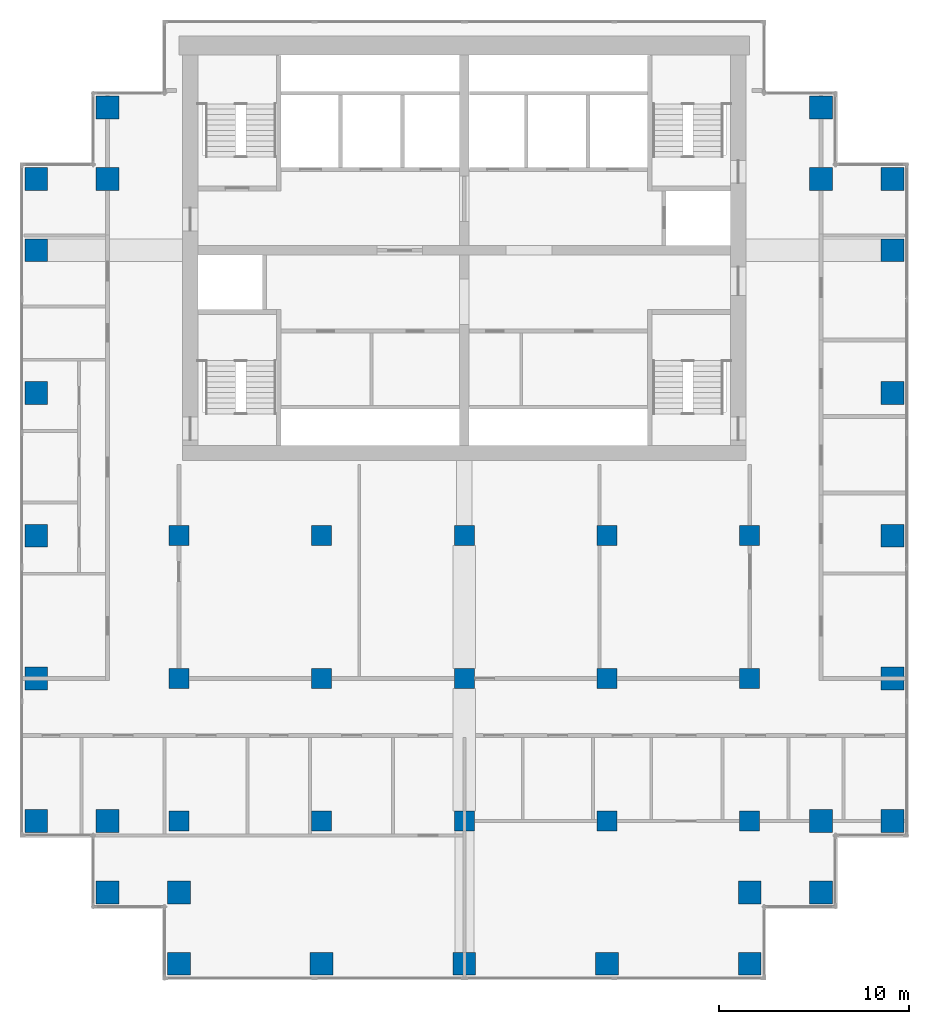
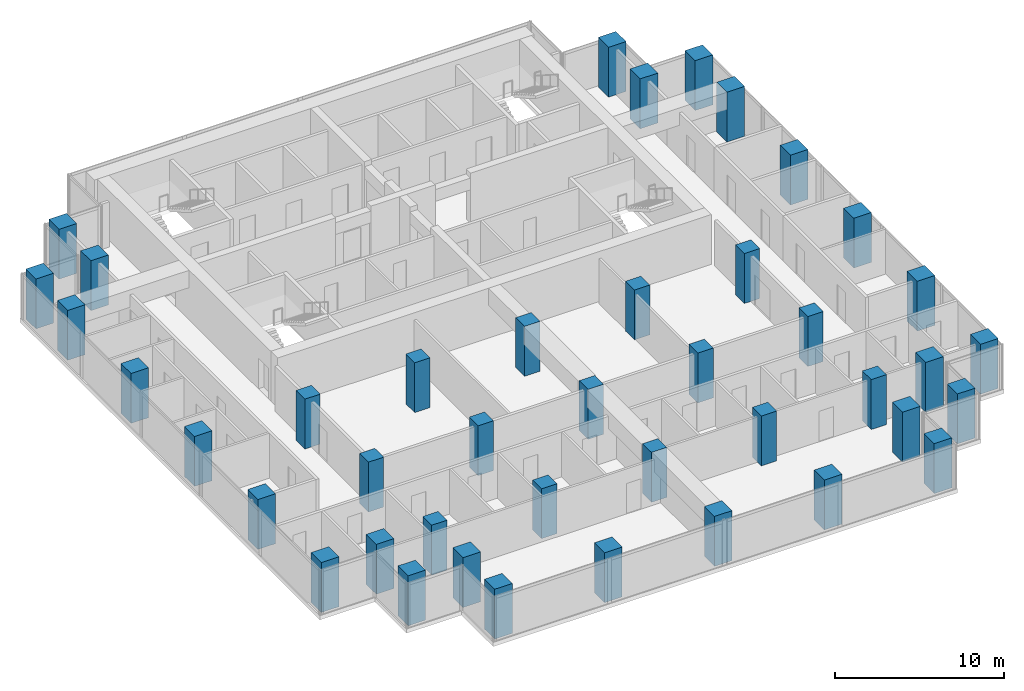
# One storey, part 1 of 10: 42 columns.
"""IFC4 building model written with IfcOpenShell, lengths in metres."""

from ifc_helpers import new_model, si_unit, direction, frame, origin, origin_2d, place, context, subcontext, project, spatial, rectangle, extrude, material, material_profile, profile_set, type_object, element, save


model = new_model("IFC4")

# Units and contexts
model_context = context("Model", 3, precision=1e-05, world=origin(), true_north=direction((0.0, 1.0)))
body_context = subcontext(model_context, "Body", "Model", "MODEL_VIEW")
ifc_project = project(units=[si_unit("LENGTHUNIT", "METRE"), si_unit("AREAUNIT", "SQUARE_METRE"), si_unit("VOLUMEUNIT", "CUBIC_METRE"), si_unit("PLANEANGLEUNIT", "RADIAN"), si_unit("MASSUNIT", "GRAM", prefix="KILO")], contexts=[model_context])

# Site, building, storey
site_placement = place(None, origin())
site = spatial("IfcSite", under=ifc_project, at=site_placement, CompositionType="ELEMENT")
building_placement = place(site_placement, origin())
building = spatial("IfcBuilding", under=site, at=building_placement, Name="Pilkhan Gate Tower", CompositionType="ELEMENT")
storey_placement = place(building_placement, frame((0.0, 0.0, 180.10009765625)))
storey = spatial("IfcBuildingStorey", under=building, at=storey_placement, Name="L46", CompositionType="ELEMENT", Elevation=180.10009765625)

# Columns
ifc_material = material(Name="Concrete C60/75", Category="concrete")
ifc_material_profile_1 = material_profile(ifc_material, rectangle(XDim=1.050048828125, YDim=1.050048828125, at=origin_2d()), Name="RC 1050x1050")
ifc_profile_set_1 = profile_set([ifc_material_profile_1], Name="Concrete C60/75")
column_type_1 = type_object("IfcColumnType", Name="Column C105 RC 1050x1050 C60/75", PredefinedType="COLUMN", material=ifc_profile_set_1)
for number, where, z_axis, x_axis, name in (
    (1, (60.0, 52.5, 0.0), (0.0, 0.0, 1.0), (1.0, 0.0, 0.0), "Column 7/D L46"),
    (2, (60.0, 60.0, 0.0), (0.0, 0.0, 1.0), (1.0, 0.0, 0.0), "Column 7/F L46"),
    (3, (60.0, 67.5, 0.0), (0.0, 0.0, 1.0), (1.0, 0.0, 0.0), "Column 7/H L46"),
    (4, (67.5, 52.5, 0.0), (0.0, 0.0, 1.0), (1.0, 0.0, 0.0), "Column 9/D L46"),
    (5, (67.5, 60.0, 0.0), (0.0, 0.0, 1.0), (1.0, 0.0, 0.0), "Column 9/F L46"),
    (6, (67.5, 67.5, 0.0), (0.0, 0.0, 1.0), (1.0, 0.0, 0.0), "Column 9/H L46"),
    (7, (75.0, 52.5, 0.0), (0.0, 0.0, 1.0), (1.0, 0.0, 0.0), "Column 11/D L46"),
    (8, (75.0, 60.0, 0.0), (0.0, 0.0, 1.0), (1.0, 0.0, 0.0), "Column 11/F L46"),
    (9, (75.0, 67.5, 0.0), (0.0, 0.0, 1.0), (1.0, 0.0, 0.0), "Column 11/H L46"),
    (10, (82.5, 52.5, 0.0), (0.0, 0.0, 1.0), (1.0, 0.0, 0.0), "Column 13/D L46"),
    (11, (82.5, 60.0, 0.0), (0.0, 0.0, 1.0), (1.0, 0.0, 0.0), "Column 13/F L46"),
    (12, (82.5, 67.5, 0.0), (0.0, 0.0, 1.0), (1.0, 0.0, 0.0), "Column 13/H L46"),
    (13, (90.0, 52.5, 0.0), (0.0, 0.0, 1.0), (1.0, 0.0, 0.0), "Column 15/D L46"),
    (14, (90.0, 60.0, 0.0), (0.0, 0.0, 1.0), (1.0, 0.0, 0.0), "Column 15/F L46"),
    (15, (90.0, 67.5, 0.0), (0.0, 0.0, 1.0), (1.0, 0.0, 0.0), "Column 15/H L46"),
):
    element("IfcColumn", number, at=place(storey_placement, frame(where, z_axis=z_axis, x_axis=x_axis)), inside=storey, type_object=column_type_1, Name=name, PredefinedType="COLUMN", context=body_context, shape_type="SweptSolid", body=[
        extrude(rectangle(XDim=1.050048828125, YDim=1.050048828125, at=origin_2d()), origin(), (0.0, 0.0, 1.0), 3.599853515625),
    ])
ifc_material_profile_2 = material_profile(ifc_material, rectangle(XDim=1.199951171875, YDim=1.199951171875, at=origin_2d()), Name="RC 1200x1200")
ifc_profile_set_2 = profile_set([ifc_material_profile_2], Name="Concrete C60/75")
column_type_2 = type_object("IfcColumnType", Name="Column C120 RC 1200x1200 C60/75", PredefinedType="COLUMN", material=ifc_profile_set_2)
for number, where, z_axis, x_axis, name in (
    (16, (52.5, 52.5, 0.0), (0.0, 0.0, 1.0), (1.0, 0.0, 0.0), "Column 5/D L46"),
    (17, (52.5, 60.0, 0.0), (0.0, 0.0, 1.0), (1.0, 0.0, 0.0), "Column 5/F L46"),
    (18, (52.5, 67.5, 0.0), (0.0, 0.0, 1.0), (1.0, 0.0, 0.0), "Column 5/H L46"),
    (19, (52.5, 75.0, 0.0), (0.0, 0.0, 1.0), (1.0, 0.0, 0.0), "Column 5/K L46"),
    (20, (52.5, 82.5, 0.0), (0.0, 0.0, 1.0), (1.0, 0.0, 0.0), "Column 5/M L46"),
    (21, (52.5, 86.25, 0.0), (0.0, 0.0, 1.0), (1.0, 0.0, 0.0), "Column 5/N L46"),
    (22, (56.25, 48.75, 0.0), (0.0, 0.0, 1.0), (1.0, 0.0, 0.0), "Column 6/C L46"),
    (23, (56.25, 52.5, 0.0), (0.0, 0.0, 1.0), (1.0, 0.0, 0.0), "Column 6/D L46"),
    (24, (56.25, 86.25, 0.0), (0.0, 0.0, 1.0), (1.0, 0.0, 0.0), "Column 6/N L46"),
    (25, (56.25, 90.0, 0.0), (0.0, 0.0, 1.0), (1.0, 0.0, 0.0), "Column 6/P L46"),
    (26, (60.0, 45.0, 0.0), (0.0, 0.0, 1.0), (1.0, 0.0, 0.0), "Column 7/B L46"),
    (27, (60.0, 48.75, 0.0), (0.0, 0.0, 1.0), (1.0, 0.0, 0.0), "Column 7/C L46"),
    (28, (67.5, 45.0, 0.0), (0.0, 0.0, 1.0), (1.0, 0.0, 0.0), "Column 9/B L46"),
    (29, (75.0, 45.0, 0.0), (0.0, 0.0, 1.0), (1.0, 0.0, 0.0), "Column 11/B L46"),
    (30, (82.5, 45.0, 0.0), (0.0, 0.0, 1.0), (1.0, 0.0, 0.0), "Column 13/B L46"),
    (31, (90.0, 45.0, 0.0), (0.0, 0.0, 1.0), (1.0, 0.0, 0.0), "Column 15/B L46"),
    (32, (90.0, 48.75, 0.0), (0.0, 0.0, 1.0), (1.0, 0.0, 0.0), "Column 15/C L46"),
    (33, (93.75, 48.75, 0.0), (0.0, 0.0, 1.0), (1.0, 0.0, 0.0), "Column 16/C L46"),
    (34, (93.75, 52.5, 0.0), (0.0, 0.0, 1.0), (1.0, 0.0, 0.0), "Column 16/D L46"),
    (35, (93.75, 86.25, 0.0), (0.0, 0.0, 1.0), (1.0, 0.0, 0.0), "Column 16/N L46"),
    (36, (93.75, 90.0, 0.0), (0.0, 0.0, 1.0), (1.0, 0.0, 0.0), "Column 16/P L46"),
    (37, (97.5, 52.5, 0.0), (0.0, 0.0, 1.0), (1.0, 0.0, 0.0), "Column 17/D L46"),
    (38, (97.5, 60.0, 0.0), (0.0, 0.0, 1.0), (1.0, 0.0, 0.0), "Column 17/F L46"),
    (39, (97.5, 67.5, 0.0), (0.0, 0.0, 1.0), (1.0, 0.0, 0.0), "Column 17/H L46"),
    (40, (97.5, 75.0, 0.0), (0.0, 0.0, 1.0), (1.0, 0.0, 0.0), "Column 17/K L46"),
    (41, (97.5, 82.5, 0.0), (0.0, 0.0, 1.0), (1.0, 0.0, 0.0), "Column 17/M L46"),
    (42, (97.5, 86.25, 0.0), (0.0, 0.0, 1.0), (1.0, 0.0, 0.0), "Column 17/N L46"),
):
    element("IfcColumn", number, at=place(storey_placement, frame(where, z_axis=z_axis, x_axis=x_axis)), inside=storey, type_object=column_type_2, Name=name, PredefinedType="COLUMN", context=body_context, shape_type="SweptSolid", body=[
        extrude(rectangle(XDim=1.199951171875, YDim=1.199951171875, at=origin_2d()), origin(), (0.0, 0.0, 1.0), 3.599853515625),
    ])

save(model, "model.ifc")
